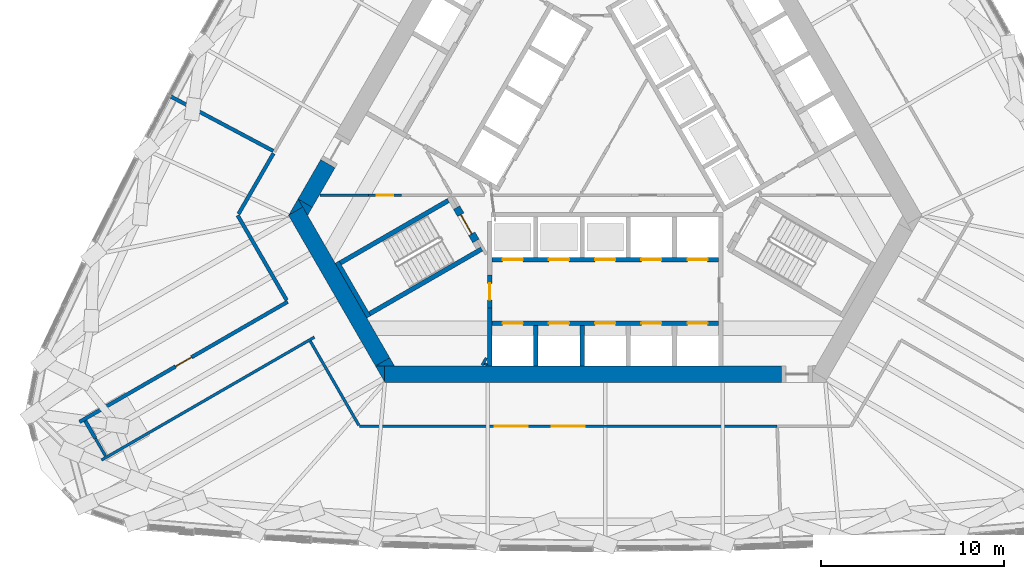
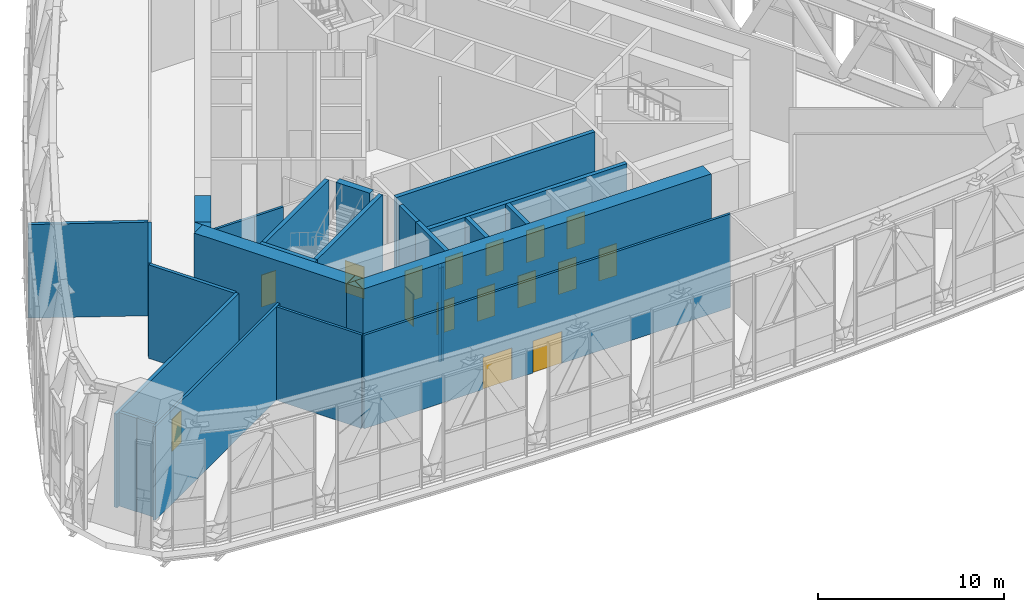
# One storey, part 21 of 33: 30 walls, 16 doors, 16 openings.
"""IFC4 building model written with IfcOpenShell, lengths in metres."""

from ifc_helpers import new_model, si_unit, direction, frame, frame_2d, origin, place, context, subcontext, project, spatial, polyline, rectangle, outline, extrude, material, layer, layer_set, type_object, element, fill, save


model = new_model("IFC4")

# Units and contexts
model_context = context("Model", 3, precision=1e-05, world=origin(), true_north=direction((0.0, 1.0)))
body_context = subcontext(model_context, "Body", "Model", "MODEL_VIEW")
ifc_project = project(units=[si_unit("LENGTHUNIT", "METRE"), si_unit("AREAUNIT", "SQUARE_METRE"), si_unit("VOLUMEUNIT", "CUBIC_METRE"), si_unit("PLANEANGLEUNIT", "RADIAN"), si_unit("MASSUNIT", "GRAM", prefix="KILO")], contexts=[model_context])

# Site, building, storey
site_placement = place(None, origin())
site = spatial("IfcSite", under=ifc_project, at=site_placement, CompositionType="ELEMENT")
building_placement = place(site_placement, origin())
building = spatial("IfcBuilding", under=site, at=building_placement, Name="Mestral Congress Tower", CompositionType="ELEMENT")
storey_placement = place(building_placement, frame((0.0, 0.0, 134.39990234375)))
storey = spatial("IfcBuildingStorey", under=building, at=storey_placement, Name="L32", CompositionType="ELEMENT", Elevation=134.39990234375)

# Walls
ifc_material_1 = material(Name="Fire-rated board partition")
ifc_layer_1 = layer(ifc_material_1, 0.14990234375)
ifc_layer_set_1 = layer_set([ifc_layer_1], Name="Fire-rated board partition")
wall_type_1 = type_object("IfcWallType", Name="Core partition 150", PredefinedType="PARTITIONING", material=ifc_layer_set_1)
wall_1_placement = place(storey_placement, frame((-6.707763671875, -12.068115234375, 0.0), z_axis=(0.0, 0.0, 1.0), x_axis=(0.500000789788, 0.8660249478, 0.0)))
element("IfcWall", 1, at=wall_1_placement, inside=storey, type_object=wall_type_1, Name="L32 core wall", PredefinedType="PARTITIONING", context=body_context, shape_type="SweptSolid", body=[
    extrude(rectangle(XDim=0.45556640625, YDim=0.14990234375, at=frame_2d((0.227783203125, 0.0))), origin(), (0.0, 0.0, 1.0), 6.150146484375),
])
wall_2_placement = place(storey_placement, frame((-6.534423828125, -12.068115234375, 0.0), z_axis=(0.0, 0.0, 1.0), x_axis=(0.500240224089, 0.865886665912, 0.0)))
element("IfcWall", 2, at=wall_2_placement, inside=storey, type_object=wall_type_1, Name="L32 core wall", PredefinedType="PARTITIONING", context=body_context, shape_type="SweptSolid", body=[
    extrude(rectangle(XDim=0.10888671875, YDim=0.14990234375, at=frame_2d((0.054443359375, 0.0))), origin(), (0.0, 0.0, 1.0), 6.150146484375),
])
wall_3_placement = place(storey_placement, frame((-12.9150390625, -2.800048828125, 0.0), z_axis=(0.0, 0.0, 1.0), x_axis=(-1.0, 0.0, 0.0)))
element("IfcWall", 3, at=wall_3_placement, inside=storey, type_object=wall_type_1, Name="L32 core wall", PredefinedType="PARTITIONING", context=body_context, shape_type="SweptSolid", body=[
    extrude(rectangle(XDim=2.63671875, YDim=0.14990234375, at=frame_2d((1.318359375, 0.0))), origin(), (0.0, 0.0, 1.0), 6.150146484375),
])

# Wall, opening, door
wall_4_placement = place(storey_placement, frame((-12.914794921875, -2.800048828125, 0.0), z_axis=(0.0, 0.0, 1.0), x_axis=(1.0, 0.0, 0.0)))
wall_4 = element("IfcWall", 4, at=wall_4_placement, inside=storey, type_object=wall_type_1, Name="L32 door wall", PredefinedType="PARTITIONING", context=body_context, shape_type="SweptSolid", body=[
    extrude(rectangle(XDim=1.7998046875, YDim=0.14990234375, at=frame_2d((0.89990234375, 0.0))), origin(), (0.0, 0.0, 1.0), 6.150146484375),
])
opening_1_placement = place(wall_4_placement, frame((0.449951171875, 0.0, 0.0)))
opening_1 = element("IfcOpeningElement", 5, at=opening_1_placement, cuts=wall_4, Name="Opening SD-HUB1", PredefinedType="OPENING", context=body_context, shape_type="SweptSolid", body=[
    extrude(rectangle(XDim=0.89990234375, YDim=2.10009765625, at=frame_2d((0.449951171875, 1.050048828125))), frame((0.0, 0.0849609375, 0.0), z_axis=(0.0, -1.0, 0.0), x_axis=(1.0, 0.0, 0.0)), (0.0, 0.0, 1.0), 0.169921875),
])
ifc_material_2 = material(Name="Fire-rated steel door set", Category="steel")
door_type_1 = type_object("IfcDoorType", Name="Core door SR 900x2100", OperationType="SINGLE_SWING_LEFT", PredefinedType="DOOR", material=ifc_material_2)
door_1_placement = place(opening_1_placement, origin())
door_1 = element("IfcDoor", 6, at=door_1_placement, inside=storey, type_object=door_type_1, Name="Door SD-HUB1", OperationType="SINGLE_SWING_LEFT", OverallHeight=2.10009765625, OverallWidth=0.89990234375, PredefinedType="DOOR", context=body_context, shape_type="SweptSolid", body=[
    extrude(rectangle(XDim=0.89990234375, YDim=2.10009765625, at=frame_2d((0.449951171875, 1.050048828125))), frame((0.0, 0.02490234375, 0.0), z_axis=(0.0, -1.0, 0.0), x_axis=(1.0, 0.0, 0.0)), (0.0, 0.0, 1.0), 0.050048828125),
])
fill(opening_1, door_1)

# Walls
ifc_material_3 = material(Name="Concrete C60/75", Category="concrete")
ifc_layer_2 = layer(ifc_material_3, 0.89990234375)
ifc_layer_set_2 = layer_set([ifc_layer_2], Name="Concrete C60/75")
wall_type_2 = type_object("IfcWallType", Name="Core wall RC 900", PredefinedType="SOLIDWALL", material=ifc_layer_set_2)
wall_5_placement = place(storey_placement, frame((-12.0185546875, -12.550048828125, 0.0), z_axis=(0.0, 0.0, 1.0), x_axis=(1.0, 0.0, 0.0)))
element("IfcWall", 7, at=wall_5_placement, inside=storey, type_object=wall_type_2, Name="L32 core wall", PredefinedType="SOLIDWALL", context=body_context, shape_type="SweptSolid", body=[
    extrude(rectangle(XDim=21.63037109375, YDim=0.89990234375, at=frame_2d((10.815185546875, 0.0))), origin(), (0.0, 0.0, 1.0), 7.2001953125),
])
placement = place(storey_placement, origin())
element("IfcWall", 8, at=placement, inside=storey, type_object=wall_type_2, Name="L32 core wall", PredefinedType="SOLIDWALL", context=body_context, shape_type="SweptSolid", body=[
    extrude(outline(polyline([(-12.528564453125, -12.10009765625), (-12.0205078125, -12.10009765625), (-12.0205078125, -12.97998046875), (-12.528564453125, -12.10009765625)])), origin(), (0.0, 0.0, 1.0), 7.2001953125),
])
wall_7_placement = place(storey_placement, frame((-12.134033203125, -11.88330078125, 0.0), z_axis=(0.0, 0.0, 1.0), x_axis=(-0.500005339912, 0.866022320763, 0.0)))
element("IfcWall", 9, at=wall_7_placement, inside=storey, type_object=wall_type_2, Name="L32 core wall", PredefinedType="SOLIDWALL", context=body_context, shape_type="SweptSolid", body=[
    extrude(rectangle(XDim=9.48779296875, YDim=0.89990234375, at=frame_2d((4.743896484375, 0.0))), origin(), (0.0, 0.0, 1.0), 7.2001953125),
])
element("IfcWall", 10, at=placement, inside=storey, type_object=wall_type_2, Name="L32 core wall", PredefinedType="SOLIDWALL", context=body_context, shape_type="SweptSolid", body=[
    extrude(outline(polyline([(-16.4892578125, -3.43994140625), (-17.251220703125, -3.8798828125), (-16.7431640625, -3.0), (-16.4892578125, -3.43994140625)])), origin(), (0.0, 0.0, 1.0), 7.2001953125),
])
element("IfcWall", 11, at=placement, inside=storey, type_object=wall_type_2, Name="L32 core wall", PredefinedType="SOLIDWALL", context=body_context, shape_type="SweptSolid", body=[
    extrude(outline(polyline([(-11.4892578125, -12.10009765625), (-12.50537109375, -12.10009765625), (-11.743408203125, -11.66015625), (-11.4892578125, -12.10009765625)])), origin(), (0.0, 0.0, 1.0), 7.2001953125),
])
wall_10_placement = place(storey_placement, frame((-15.117919921875, -1.085205078125, 0.0), z_axis=(0.0, 0.0, 1.0), x_axis=(-0.50006606081, -0.865987260198, 0.0)))
element("IfcWall", 12, at=wall_10_placement, inside=storey, type_object=wall_type_2, Name="L32 core wall", PredefinedType="SOLIDWALL", context=body_context, shape_type="SweptSolid", body=[
    extrude(rectangle(XDim=2.480712890625, YDim=0.89990234375, at=frame_2d((1.240234375, 0.0))), origin(), (0.0, 0.0, 1.0), 7.2001953125),
])
element("IfcWall", 13, at=placement, inside=storey, type_object=wall_type_2, Name="L32 core wall", PredefinedType="SOLIDWALL", context=body_context, shape_type="SweptSolid", body=[
    extrude(outline(polyline([(-16.223388671875, -3.89990234375), (-16.731689453125, -3.02001953125), (-15.969482421875, -3.460205078125), (-16.223388671875, -3.89990234375)])), origin(), (0.0, 0.0, 1.0), 7.2001953125),
])
ifc_layer_3 = layer(ifc_material_3, 0.25)
ifc_layer_set_3 = layer_set([ifc_layer_3], Name="Concrete C60/75")
wall_type_3 = type_object("IfcWallType", Name="Shaft wall RC 250", PredefinedType="SOLIDWALL", material=ifc_layer_set_3)
wall_12_placement = place(storey_placement, frame((-3.780029296875, -12.10009765625, 0.0), z_axis=(0.0, 0.0, 1.0), x_axis=(0.0, 1.0, 0.0)))
element("IfcWall", 14, at=wall_12_placement, inside=storey, type_object=wall_type_3, Name="L32 core wall", PredefinedType="SOLIDWALL", context=body_context, shape_type="SweptSolid", body=[
    extrude(rectangle(XDim=2.199951171875, YDim=0.25, at=frame_2d((1.10009765625, 0.0))), origin(), (0.0, 0.0, 1.0), 7.2001953125),
])
wall_13_placement = place(storey_placement, frame((-6.300048828125, -12.10009765625, 0.0), z_axis=(0.0, 0.0, 1.0), x_axis=(0.0, 1.0, 0.0)))
element("IfcWall", 15, at=wall_13_placement, inside=storey, type_object=wall_type_3, Name="L32 core wall", PredefinedType="SOLIDWALL", context=body_context, shape_type="SweptSolid", body=[
    extrude(rectangle(XDim=3.1455078125, YDim=0.25, at=frame_2d((1.57275390625, 0.0))), origin(), (0.0, 0.0, 1.0), 7.2001953125),
])
wall_14_placement = place(storey_placement, frame((-1.260009765625, -12.10009765625, 0.0), z_axis=(0.0, 0.0, 1.0), x_axis=(0.0, 1.0, 0.0)))
element("IfcWall", 16, at=wall_14_placement, inside=storey, type_object=wall_type_3, Name="L32 core wall", PredefinedType="SOLIDWALL", context=body_context, shape_type="SweptSolid", body=[
    extrude(rectangle(XDim=2.199951171875, YDim=0.25, at=frame_2d((1.10009765625, 0.0))), origin(), (0.0, 0.0, 1.0), 7.2001953125),
])

# Wall, openings, doors
wall_15_placement = place(storey_placement, frame((-6.175048828125, -9.77490234375, 0.0), z_axis=(0.0, 0.0, 1.0), x_axis=(1.0, 0.0, 0.0)))
wall_15 = element("IfcWall", 17, at=wall_15_placement, inside=storey, type_object=wall_type_3, Name="L32 door wall", PredefinedType="SOLIDWALL", context=body_context, shape_type="SweptSolid", body=[
    extrude(rectangle(XDim=12.35009765625, YDim=0.25, at=frame_2d((6.175048828125, 0.0))), origin(), (0.0, 0.0, 1.0), 7.2001953125),
])
opening_2_placement = place(wall_15_placement, frame((0.5849609375, 0.0, 0.0)))
opening_2 = element("IfcOpeningElement", 18, at=opening_2_placement, cuts=wall_15, Name="Opening LD-SOA1", PredefinedType="OPENING", context=body_context, shape_type="SweptSolid", body=[
    extrude(rectangle(XDim=1.10009765625, YDim=2.10009765625, at=frame_2d((0.550048828125, 1.050048828125))), frame((0.0, 0.135009765625, 0.0), z_axis=(0.0, -1.0, 0.0), x_axis=(1.0, 0.0, 0.0)), (0.0, 0.0, 1.0), 0.27001953125),
])
opening_3_placement = place(wall_15_placement, frame((3.10498046875, 0.0, 0.0)))
opening_3 = element("IfcOpeningElement", 19, at=opening_3_placement, cuts=wall_15, Name="Opening LD-SOA2", PredefinedType="OPENING", context=body_context, shape_type="SweptSolid", body=[
    extrude(rectangle(XDim=1.10009765625, YDim=2.10009765625, at=frame_2d((0.550048828125, 1.050048828125))), frame((0.0, 0.135009765625, 0.0), z_axis=(0.0, -1.0, 0.0), x_axis=(1.0, 0.0, 0.0)), (0.0, 0.0, 1.0), 0.27001953125),
])
opening_4_placement = place(wall_15_placement, frame((5.625, 0.0, 0.0)))
opening_4 = element("IfcOpeningElement", 20, at=opening_4_placement, cuts=wall_15, Name="Opening LD-SOA3", PredefinedType="OPENING", context=body_context, shape_type="SweptSolid", body=[
    extrude(rectangle(XDim=1.10009765625, YDim=2.10009765625, at=frame_2d((0.550048828125, 1.050048828125))), frame((0.0, 0.135009765625, 0.0), z_axis=(0.0, -1.0, 0.0), x_axis=(1.0, 0.0, 0.0)), (0.0, 0.0, 1.0), 0.27001953125),
])
opening_5_placement = place(wall_15_placement, frame((8.14501953125, 0.0, 0.0)))
opening_5 = element("IfcOpeningElement", 21, at=opening_5_placement, cuts=wall_15, Name="Opening LD-SOA4", PredefinedType="OPENING", context=body_context, shape_type="SweptSolid", body=[
    extrude(rectangle(XDim=1.10009765625, YDim=2.10009765625, at=frame_2d((0.550048828125, 1.050048828125))), frame((0.0, 0.135009765625, 0.0), z_axis=(0.0, -1.0, 0.0), x_axis=(1.0, 0.0, 0.0)), (0.0, 0.0, 1.0), 0.27001953125),
])
opening_6_placement = place(wall_15_placement, frame((10.6650390625, 0.0, 0.0)))
opening_6 = element("IfcOpeningElement", 22, at=opening_6_placement, cuts=wall_15, Name="Opening LD-SOA5", PredefinedType="OPENING", context=body_context, shape_type="SweptSolid", body=[
    extrude(rectangle(XDim=1.10009765625, YDim=2.10009765625, at=frame_2d((0.550048828125, 1.050048828125))), frame((0.0, 0.135009765625, 0.0), z_axis=(0.0, -1.0, 0.0), x_axis=(1.0, 0.0, 0.0)), (0.0, 0.0, 1.0), 0.27001953125),
])
door_type_2 = type_object("IfcDoorType", Name="Core door LD 1100x2100", OperationType="DOUBLE_DOOR_SLIDING", PredefinedType="DOOR", material=ifc_material_2)
door_2_placement = place(opening_2_placement, origin())
door_2 = element("IfcDoor", 23, at=door_2_placement, inside=storey, type_object=door_type_2, Name="Door LD-SOA1", OperationType="DOUBLE_DOOR_SLIDING", OverallHeight=2.10009765625, OverallWidth=1.10009765625, PredefinedType="DOOR", context=body_context, shape_type="SweptSolid", body=[
    extrude(rectangle(XDim=1.10009765625, YDim=2.10009765625, at=frame_2d((0.550048828125, 1.050048828125))), frame((0.0, 0.02490234375, 0.0), z_axis=(0.0, -1.0, 0.0), x_axis=(1.0, 0.0, 0.0)), (0.0, 0.0, 1.0), 0.050048828125),
])
fill(opening_2, door_2)
door_3_placement = place(opening_3_placement, origin())
door_3 = element("IfcDoor", 24, at=door_3_placement, inside=storey, type_object=door_type_2, Name="Door LD-SOA2", OperationType="DOUBLE_DOOR_SLIDING", OverallHeight=2.10009765625, OverallWidth=1.10009765625, PredefinedType="DOOR", context=body_context, shape_type="SweptSolid", body=[
    extrude(rectangle(XDim=1.10009765625, YDim=2.10009765625, at=frame_2d((0.550048828125, 1.050048828125))), frame((0.0, 0.02490234375, 0.0), z_axis=(0.0, -1.0, 0.0), x_axis=(1.0, 0.0, 0.0)), (0.0, 0.0, 1.0), 0.050048828125),
])
fill(opening_3, door_3)
door_4_placement = place(opening_4_placement, origin())
door_4 = element("IfcDoor", 25, at=door_4_placement, inside=storey, type_object=door_type_2, Name="Door LD-SOA3", OperationType="DOUBLE_DOOR_SLIDING", OverallHeight=2.10009765625, OverallWidth=1.10009765625, PredefinedType="DOOR", context=body_context, shape_type="SweptSolid", body=[
    extrude(rectangle(XDim=1.10009765625, YDim=2.10009765625, at=frame_2d((0.550048828125, 1.050048828125))), frame((0.0, 0.02490234375, 0.0), z_axis=(0.0, -1.0, 0.0), x_axis=(1.0, 0.0, 0.0)), (0.0, 0.0, 1.0), 0.050048828125),
])
fill(opening_4, door_4)
door_5_placement = place(opening_5_placement, origin())
door_5 = element("IfcDoor", 26, at=door_5_placement, inside=storey, type_object=door_type_2, Name="Door LD-SOA4", OperationType="DOUBLE_DOOR_SLIDING", OverallHeight=2.10009765625, OverallWidth=1.10009765625, PredefinedType="DOOR", context=body_context, shape_type="SweptSolid", body=[
    extrude(rectangle(XDim=1.10009765625, YDim=2.10009765625, at=frame_2d((0.550048828125, 1.050048828125))), frame((0.0, 0.02490234375, 0.0), z_axis=(0.0, -1.0, 0.0), x_axis=(1.0, 0.0, 0.0)), (0.0, 0.0, 1.0), 0.050048828125),
])
fill(opening_5, door_5)
door_6_placement = place(opening_6_placement, origin())
door_6 = element("IfcDoor", 27, at=door_6_placement, inside=storey, type_object=door_type_2, Name="Door LD-SOA5", OperationType="DOUBLE_DOOR_SLIDING", OverallHeight=2.10009765625, OverallWidth=1.10009765625, PredefinedType="DOOR", context=body_context, shape_type="SweptSolid", body=[
    extrude(rectangle(XDim=1.10009765625, YDim=2.10009765625, at=frame_2d((0.550048828125, 1.050048828125))), frame((0.0, 0.02490234375, 0.0), z_axis=(0.0, -1.0, 0.0), x_axis=(1.0, 0.0, 0.0)), (0.0, 0.0, 1.0), 0.050048828125),
])
fill(opening_6, door_6)

wall_16_placement = place(storey_placement, frame((-6.175048828125, -6.324951171875, 0.0), z_axis=(0.0, 0.0, 1.0), x_axis=(1.0, 0.0, 0.0)))
wall_16 = element("IfcWall", 28, at=wall_16_placement, inside=storey, type_object=wall_type_3, Name="L32 door wall", PredefinedType="SOLIDWALL", context=body_context, shape_type="SweptSolid", body=[
    extrude(rectangle(XDim=12.35009765625, YDim=0.25, at=frame_2d((6.175048828125, 0.0))), origin(), (0.0, 0.0, 1.0), 7.2001953125),
])
opening_7_placement = place(wall_16_placement, frame((0.5849609375, 0.0, 0.0)))
opening_7 = element("IfcOpeningElement", 29, at=opening_7_placement, cuts=wall_16, Name="Opening LD-SOB1", PredefinedType="OPENING", context=body_context, shape_type="SweptSolid", body=[
    extrude(rectangle(XDim=1.10009765625, YDim=2.10009765625, at=frame_2d((0.550048828125, 1.050048828125))), frame((0.0, 0.135009765625, 0.0), z_axis=(0.0, -1.0, 0.0), x_axis=(1.0, 0.0, 0.0)), (0.0, 0.0, 1.0), 0.27001953125),
])
opening_8_placement = place(wall_16_placement, frame((3.10498046875, 0.0, 0.0)))
opening_8 = element("IfcOpeningElement", 30, at=opening_8_placement, cuts=wall_16, Name="Opening LD-SOB2", PredefinedType="OPENING", context=body_context, shape_type="SweptSolid", body=[
    extrude(rectangle(XDim=1.10009765625, YDim=2.10009765625, at=frame_2d((0.550048828125, 1.050048828125))), frame((0.0, 0.135009765625, 0.0), z_axis=(0.0, -1.0, 0.0), x_axis=(1.0, 0.0, 0.0)), (0.0, 0.0, 1.0), 0.27001953125),
])
opening_9_placement = place(wall_16_placement, frame((5.625, 0.0, 0.0)))
opening_9 = element("IfcOpeningElement", 31, at=opening_9_placement, cuts=wall_16, Name="Opening LD-SOB3", PredefinedType="OPENING", context=body_context, shape_type="SweptSolid", body=[
    extrude(rectangle(XDim=1.10009765625, YDim=2.10009765625, at=frame_2d((0.550048828125, 1.050048828125))), frame((0.0, 0.135009765625, 0.0), z_axis=(0.0, -1.0, 0.0), x_axis=(1.0, 0.0, 0.0)), (0.0, 0.0, 1.0), 0.27001953125),
])
opening_10_placement = place(wall_16_placement, frame((8.14501953125, 0.0, 0.0)))
opening_10 = element("IfcOpeningElement", 32, at=opening_10_placement, cuts=wall_16, Name="Opening LD-SOB4", PredefinedType="OPENING", context=body_context, shape_type="SweptSolid", body=[
    extrude(rectangle(XDim=1.10009765625, YDim=2.10009765625, at=frame_2d((0.550048828125, 1.050048828125))), frame((0.0, 0.135009765625, 0.0), z_axis=(0.0, -1.0, 0.0), x_axis=(1.0, 0.0, 0.0)), (0.0, 0.0, 1.0), 0.27001953125),
])
opening_11_placement = place(wall_16_placement, frame((10.6650390625, 0.0, 0.0)))
opening_11 = element("IfcOpeningElement", 33, at=opening_11_placement, cuts=wall_16, Name="Opening LD-SOB5", PredefinedType="OPENING", context=body_context, shape_type="SweptSolid", body=[
    extrude(rectangle(XDim=1.10009765625, YDim=2.10009765625, at=frame_2d((0.550048828125, 1.050048828125))), frame((0.0, 0.135009765625, 0.0), z_axis=(0.0, -1.0, 0.0), x_axis=(1.0, 0.0, 0.0)), (0.0, 0.0, 1.0), 0.27001953125),
])
door_7_placement = place(opening_7_placement, origin())
door_7 = element("IfcDoor", 34, at=door_7_placement, inside=storey, type_object=door_type_2, Name="Door LD-SOB1", OperationType="DOUBLE_DOOR_SLIDING", OverallHeight=2.10009765625, OverallWidth=1.10009765625, PredefinedType="DOOR", context=body_context, shape_type="SweptSolid", body=[
    extrude(rectangle(XDim=1.10009765625, YDim=2.10009765625, at=frame_2d((0.550048828125, 1.050048828125))), frame((0.0, 0.02490234375, 0.0), z_axis=(0.0, -1.0, 0.0), x_axis=(1.0, 0.0, 0.0)), (0.0, 0.0, 1.0), 0.050048828125),
])
fill(opening_7, door_7)
door_8_placement = place(opening_8_placement, origin())
door_8 = element("IfcDoor", 35, at=door_8_placement, inside=storey, type_object=door_type_2, Name="Door LD-SOB2", OperationType="DOUBLE_DOOR_SLIDING", OverallHeight=2.10009765625, OverallWidth=1.10009765625, PredefinedType="DOOR", context=body_context, shape_type="SweptSolid", body=[
    extrude(rectangle(XDim=1.10009765625, YDim=2.10009765625, at=frame_2d((0.550048828125, 1.050048828125))), frame((0.0, 0.02490234375, 0.0), z_axis=(0.0, -1.0, 0.0), x_axis=(1.0, 0.0, 0.0)), (0.0, 0.0, 1.0), 0.050048828125),
])
fill(opening_8, door_8)
door_9_placement = place(opening_9_placement, origin())
door_9 = element("IfcDoor", 36, at=door_9_placement, inside=storey, type_object=door_type_2, Name="Door LD-SOB3", OperationType="DOUBLE_DOOR_SLIDING", OverallHeight=2.10009765625, OverallWidth=1.10009765625, PredefinedType="DOOR", context=body_context, shape_type="SweptSolid", body=[
    extrude(rectangle(XDim=1.10009765625, YDim=2.10009765625, at=frame_2d((0.550048828125, 1.050048828125))), frame((0.0, 0.02490234375, 0.0), z_axis=(0.0, -1.0, 0.0), x_axis=(1.0, 0.0, 0.0)), (0.0, 0.0, 1.0), 0.050048828125),
])
fill(opening_9, door_9)
door_10_placement = place(opening_10_placement, origin())
door_10 = element("IfcDoor", 37, at=door_10_placement, inside=storey, type_object=door_type_2, Name="Door LD-SOB4", OperationType="DOUBLE_DOOR_SLIDING", OverallHeight=2.10009765625, OverallWidth=1.10009765625, PredefinedType="DOOR", context=body_context, shape_type="SweptSolid", body=[
    extrude(rectangle(XDim=1.10009765625, YDim=2.10009765625, at=frame_2d((0.550048828125, 1.050048828125))), frame((0.0, 0.02490234375, 0.0), z_axis=(0.0, -1.0, 0.0), x_axis=(1.0, 0.0, 0.0)), (0.0, 0.0, 1.0), 0.050048828125),
])
fill(opening_10, door_10)
door_11_placement = place(opening_11_placement, origin())
door_11 = element("IfcDoor", 38, at=door_11_placement, inside=storey, type_object=door_type_2, Name="Door LD-SOB5", OperationType="DOUBLE_DOOR_SLIDING", OverallHeight=2.10009765625, OverallWidth=1.10009765625, PredefinedType="DOOR", context=body_context, shape_type="SweptSolid", body=[
    extrude(rectangle(XDim=1.10009765625, YDim=2.10009765625, at=frame_2d((0.550048828125, 1.050048828125))), frame((0.0, 0.02490234375, 0.0), z_axis=(0.0, -1.0, 0.0), x_axis=(1.0, 0.0, 0.0)), (0.0, 0.0, 1.0), 0.050048828125),
])
fill(opening_11, door_11)

# Wall, opening, door
wall_17_placement = place(storey_placement, frame((-6.300048828125, -7.154296875, 0.0), z_axis=(0.0, 0.0, 1.0), x_axis=(0.0, -1.0, 0.0)))
wall_17 = element("IfcWall", 39, at=wall_17_placement, inside=storey, type_object=wall_type_3, Name="L32 door wall", PredefinedType="SOLIDWALL", context=body_context, shape_type="SweptSolid", body=[
    extrude(rectangle(XDim=1.800048828125, YDim=0.25, at=frame_2d((0.89990234375, 0.0))), origin(), (0.0, 0.0, 1.0), 7.2001953125),
])
opening_12_placement = place(wall_17_placement, frame((0.449951171875, 0.0, 0.0)))
opening_12 = element("IfcOpeningElement", 40, at=opening_12_placement, cuts=wall_17, Name="Opening TD3", PredefinedType="OPENING", context=body_context, shape_type="SweptSolid", body=[
    extrude(rectangle(XDim=0.89990234375, YDim=2.10009765625, at=frame_2d((0.449951171875, 1.050048828125))), frame((0.0, 0.135009765625, 0.0), z_axis=(0.0, -1.0, 0.0), x_axis=(1.0, 0.0, 0.0)), (0.0, 0.0, 1.0), 0.27001953125),
])
door_12_placement = place(opening_12_placement, origin())
door_12 = element("IfcDoor", 41, at=door_12_placement, inside=storey, type_object=door_type_1, Name="Door TD3", OperationType="SINGLE_SWING_LEFT", OverallHeight=2.10009765625, OverallWidth=0.89990234375, PredefinedType="DOOR", context=body_context, shape_type="SweptSolid", body=[
    extrude(rectangle(XDim=0.89990234375, YDim=2.10009765625, at=frame_2d((0.449951171875, 1.050048828125))), frame((0.0, 0.02490234375, 0.0), z_axis=(0.0, -1.0, 0.0), x_axis=(1.0, 0.0, 0.0)), (0.0, 0.0, 1.0), 0.050048828125),
])
fill(opening_12, door_12)

# Wall, openings, doors
ifc_layer_4 = layer(ifc_material_1, 0.14990234375)
ifc_layer_set_4 = layer_set([ifc_layer_4], Name="Fire-rated board partition")
wall_type_4 = type_object("IfcWallType", Name="Special partition 150 EI 180", PredefinedType="PARTITIONING", material=ifc_layer_set_4)
wall_18_placement = place(storey_placement, frame((-13.39453125, -15.39990234375, 0.0), z_axis=(0.0, 0.0, 1.0), x_axis=(1.0, 0.0, 0.0)))
wall_18 = element("IfcWall", 42, at=wall_18_placement, inside=storey, type_object=wall_type_4, Name="Partition", PredefinedType="PARTITIONING", context=body_context, shape_type="SweptSolid", body=[
    extrude(rectangle(XDim=22.7744140625, YDim=0.14990234375, at=frame_2d((11.38720703125, 0.0))), origin(), (0.0, 0.0, 1.0), 6.150146484375),
])
opening_13_placement = place(wall_18_placement, frame((10.4873046875, 0.0, 0.0)))
opening_13 = element("IfcOpeningElement", 43, at=opening_13_placement, cuts=wall_18, Name="Opening S32-002", PredefinedType="OPENING", context=body_context, shape_type="SweptSolid", body=[
    extrude(rectangle(XDim=1.800048828125, YDim=2.10009765625, at=frame_2d((0.89990234375, 1.050048828125))), frame((0.0, 0.0849609375, 0.0), z_axis=(0.0, -1.0, 0.0), x_axis=(1.0, 0.0, 0.0)), (0.0, 0.0, 1.0), 0.169921875),
])
opening_14_placement = place(wall_18_placement, frame((7.376953125, 0.0, 0.0)))
opening_14 = element("IfcOpeningElement", 44, at=opening_14_placement, cuts=wall_18, Name="Opening S32-003", PredefinedType="OPENING", context=body_context, shape_type="SweptSolid", body=[
    extrude(rectangle(XDim=1.800048828125, YDim=2.10009765625, at=frame_2d((0.89990234375, 1.050048828125))), frame((0.0, 0.0849609375, 0.0), z_axis=(0.0, -1.0, 0.0), x_axis=(1.0, 0.0, 0.0)), (0.0, 0.0, 1.0), 0.169921875),
])
door_type_3 = type_object("IfcDoorType", Name="Assembly double door 1800x2100", OperationType="DOUBLE_DOOR_SINGLE_SWING", PredefinedType="DOOR", material=ifc_material_2)
door_13_placement = place(opening_13_placement, origin())
door_13 = element("IfcDoor", 45, at=door_13_placement, inside=storey, type_object=door_type_3, Name="Door S32-002", OperationType="DOUBLE_DOOR_SINGLE_SWING", OverallHeight=2.10009765625, OverallWidth=1.800048828125, PredefinedType="DOOR", context=body_context, shape_type="SweptSolid", body=[
    extrude(rectangle(XDim=1.800048828125, YDim=2.10009765625, at=frame_2d((0.89990234375, 1.050048828125))), frame((0.0, 0.02490234375, 0.0), z_axis=(0.0, -1.0, 0.0), x_axis=(1.0, 0.0, 0.0)), (0.0, 0.0, 1.0), 0.050048828125),
])
fill(opening_13, door_13)
door_14_placement = place(opening_14_placement, origin())
door_14 = element("IfcDoor", 46, at=door_14_placement, inside=storey, type_object=door_type_3, Name="Door S32-003", OperationType="DOUBLE_DOOR_SINGLE_SWING", OverallHeight=2.10009765625, OverallWidth=1.800048828125, PredefinedType="DOOR", context=body_context, shape_type="SweptSolid", body=[
    extrude(rectangle(XDim=1.800048828125, YDim=2.10009765625, at=frame_2d((0.89990234375, 1.050048828125))), frame((0.0, 0.02490234375, 0.0), z_axis=(0.0, -1.0, 0.0), x_axis=(1.0, 0.0, 0.0)), (0.0, 0.0, 1.0), 0.050048828125),
])
fill(opening_14, door_14)

# Walls
wall_19_placement = place(storey_placement, frame((-15.8544921875, -10.539306640625, 0.0), z_axis=(0.0, 0.0, 1.0), x_axis=(-0.866027799164, -0.499995851058, 0.0)))
element("IfcWall", 47, at=wall_19_placement, inside=storey, type_object=wall_type_4, Name="Partition", PredefinedType="PARTITIONING", context=body_context, shape_type="SweptSolid", body=[
    extrude(rectangle(XDim=13.3984375, YDim=0.14990234375, at=frame_2d((6.69921875, 0.0))), origin(), (0.0, 0.0, 1.0), 6.150146484375),
])
wall_20_placement = place(storey_placement, frame((-13.429443359375, -15.33935546875, 0.0), z_axis=(0.0, 0.0, 1.0), x_axis=(-0.500006123685, 0.866021868245, 0.0)))
element("IfcWall", 48, at=wall_20_placement, inside=storey, type_object=wall_type_4, Name="Partition", PredefinedType="PARTITIONING", context=body_context, shape_type="SweptSolid", body=[
    extrude(rectangle(XDim=5.28955078125, YDim=0.14990234375, at=frame_2d((2.644775390625, 0.0))), origin(), (0.0, 0.0, 1.0), 6.150146484375),
])
wall_21_placement = place(storey_placement, frame((-27.23828125, -17.019287109375, 0.0), z_axis=(0.0, 0.0, 1.0), x_axis=(-0.499995378973, 0.866028071719, 0.0)))
element("IfcWall", 49, at=wall_21_placement, inside=storey, type_object=wall_type_4, Name="Partition", PredefinedType="PARTITIONING", context=body_context, shape_type="SweptSolid", body=[
    extrude(rectangle(XDim=1.10986328125, YDim=0.14990234375, at=frame_2d((0.554931640625, 0.0))), origin(), (0.0, 0.0, 1.0), 6.150146484375),
])

# Wall, opening, door
ifc_material_4 = material(Name="Concrete block wall, plastered", Category="concrete")
ifc_layer_5 = layer(ifc_material_4, 0.199951171875)
ifc_layer_set_5 = layer_set([ifc_layer_5], Name="Concrete block wall, plastered")
wall_type_5 = type_object("IfcWallType", Name="Special partition 200 EI 120", PredefinedType="PARTITIONING", material=ifc_layer_set_5)
wall_22_placement = place(storey_placement, frame((-17.314208984375, -8.61083984375, 0.0), z_axis=(0.0, 0.0, 1.0), x_axis=(-0.866025427251, -0.499999959354, 0.0)))
wall_22 = element("IfcWall", 50, at=wall_22_placement, inside=storey, type_object=wall_type_5, Name="Partition", PredefinedType="PARTITIONING", context=body_context, shape_type="SweptSolid", body=[
    extrude(rectangle(XDim=13.0986328125, YDim=0.199951171875, at=frame_2d((6.54931640625, 0.0))), origin(), (0.0, 0.0, 1.0), 6.150146484375),
])
opening_15_placement = place(wall_22_placement, frame((6.04931640625, 0.0, 0.0)))
opening_15 = element("IfcOpeningElement", 51, at=opening_15_placement, cuts=wall_22, Name="Opening S32-001", PredefinedType="OPENING", context=body_context, shape_type="SweptSolid", body=[
    extrude(rectangle(XDim=1.0, YDim=2.10009765625, at=frame_2d((0.5, 1.050048828125))), frame((0.0, 0.10986328125, 0.0), z_axis=(0.0, -1.0, 0.0), x_axis=(1.0, 0.0, 0.0)), (0.0, 0.0, 1.0), 0.219970703125),
])
door_type_4 = type_object("IfcDoorType", Name="Service door 1000x2100", OperationType="SINGLE_SWING_LEFT", PredefinedType="DOOR", material=ifc_material_2)
door_15_placement = place(opening_15_placement, origin())
door_15 = element("IfcDoor", 52, at=door_15_placement, inside=storey, type_object=door_type_4, Name="Door S32-001", OperationType="SINGLE_SWING_RIGHT", OverallHeight=2.10009765625, OverallWidth=1.0, PredefinedType="DOOR", context=body_context, shape_type="SweptSolid", body=[
    extrude(rectangle(XDim=1.0, YDim=2.10009765625, at=frame_2d((0.5, 1.050048828125))), frame((0.0, 0.02490234375, 0.0), z_axis=(0.0, -1.0, 0.0), x_axis=(1.0, 0.0, 0.0)), (0.0, 0.0, 1.0), 0.050048828125),
])
fill(opening_15, door_15)

# Walls
wall_23_placement = place(storey_placement, frame((-23.819580078125, 2.656005859375, 0.0), z_axis=(0.0, 0.0, 1.0), x_axis=(0.883021561778, -0.469332421035, 0.0)))
element("IfcWall", 53, at=wall_23_placement, inside=storey, type_object=wall_type_5, Name="Partition", PredefinedType="PARTITIONING", context=body_context, shape_type="SweptSolid", body=[
    extrude(rectangle(XDim=6.48046875, YDim=0.199951171875, at=frame_2d((3.240234375, 0.0))), origin(), (0.0, 0.0, 1.0), 6.150146484375),
])
wall_24_placement = place(storey_placement, frame((-17.3642578125, -8.524169921875, 0.0), z_axis=(0.0, 0.0, 1.0), x_axis=(-0.500014009721, 0.866017315117, 0.0)))
element("IfcWall", 54, at=wall_24_placement, inside=storey, type_object=wall_type_5, Name="Partition", PredefinedType="PARTITIONING", context=body_context, shape_type="SweptSolid", body=[
    extrude(rectangle(XDim=5.339599609375, YDim=0.199951171875, at=frame_2d((2.669921875, 0.0))), origin(), (0.0, 0.0, 1.0), 6.150146484375),
])
wall_25_placement = place(storey_placement, frame((-19.989013671875, -3.822021484375, 0.0), z_axis=(0.0, 0.0, 1.0), x_axis=(0.499986503906, 0.866033195618, 0.0)))
element("IfcWall", 55, at=wall_25_placement, inside=storey, type_object=wall_type_5, Name="Partition", PredefinedType="PARTITIONING", context=body_context, shape_type="SweptSolid", body=[
    extrude(rectangle(XDim=3.81494140625, YDim=0.199951171875, at=frame_2d((1.907470703125, 0.0))), origin(), (0.0, 0.0, 1.0), 6.150146484375),
])
wall_26_placement = place(storey_placement, frame((-27.798095703125, -16.049560546875, 0.0), z_axis=(0.0, 0.0, 1.0), x_axis=(-0.499933745558, 0.866063652425, 0.0)))
element("IfcWall", 56, at=wall_26_placement, inside=storey, type_object=wall_type_5, Name="Partition", PredefinedType="PARTITIONING", context=body_context, shape_type="SweptSolid", body=[
    extrude(rectangle(XDim=1.100341796875, YDim=0.199951171875, at=frame_2d((0.55029296875, 0.0))), origin(), (0.0, 0.0, 1.0), 6.150146484375),
])
ifc_layer_6 = layer(ifc_material_3, 0.25)
ifc_layer_set_6 = layer_set([ifc_layer_6], Name="Concrete C60/75")
wall_type_6 = type_object("IfcWallType", Name="Stair wall RC 250", PredefinedType="SOLIDWALL", material=ifc_layer_set_6)
wall_27_placement = place(storey_placement, frame((-12.885498046875, -9.431396484375, 0.0), z_axis=(0.0, 0.0, 1.0), x_axis=(-0.500020560727, 0.866013532718, 0.0)))
element("IfcWall", 57, at=wall_27_placement, inside=storey, type_object=wall_type_6, Name="L32 core wall", PredefinedType="SOLIDWALL", context=body_context, shape_type="SweptSolid", body=[
    extrude(rectangle(XDim=3.449951171875, YDim=0.25, at=frame_2d((1.72509765625, 0.0))), origin(), (0.0, 0.0, 1.0), 7.2001953125),
])
wall_28_placement = place(storey_placement, frame((-14.43994140625, -6.489501953125, 0.0), z_axis=(0.0, 0.0, 1.0), x_axis=(0.866022966069, 0.500004222222, 0.0)))
element("IfcWall", 58, at=wall_28_placement, inside=storey, type_object=wall_type_6, Name="L32 core wall", PredefinedType="SOLIDWALL", context=body_context, shape_type="SweptSolid", body=[
    extrude(rectangle(XDim=6.80029296875, YDim=0.25, at=frame_2d((3.400146484375, 0.0))), origin(), (0.0, 0.0, 1.0), 7.2001953125),
])
wall_29_placement = place(storey_placement, frame((-12.83984375, -9.2607421875, 0.0), z_axis=(0.0, 0.0, 1.0), x_axis=(0.866016039709, 0.500016218704, 0.0)))
element("IfcWall", 59, at=wall_29_placement, inside=storey, type_object=wall_type_6, Name="L32 core wall", PredefinedType="SOLIDWALL", context=body_context, shape_type="SweptSolid", body=[
    extrude(rectangle(XDim=7.050048828125, YDim=0.25, at=frame_2d((3.52490234375, 0.0))), origin(), (0.0, 0.0, 1.0), 7.2001953125),
])

# Wall, opening, door
ifc_layer_7 = layer(ifc_material_3, 0.39990234375)
ifc_layer_set_7 = layer_set([ifc_layer_7], Name="Concrete C60/75")
wall_type_7 = type_object("IfcWallType", Name="Stair wall RC 250 door-wall 400", PredefinedType="SOLIDWALL", material=ifc_layer_set_7)
wall_30_placement = place(storey_placement, frame((-8.097900390625, -3.473876953125, 0.0), z_axis=(0.0, 0.0, 1.0), x_axis=(0.49994051562, -0.866059744384, 0.0)))
wall_30 = element("IfcWall", 60, at=wall_30_placement, inside=storey, type_object=wall_type_7, Name="L32 door wall", PredefinedType="SOLIDWALL", context=body_context, shape_type="SweptSolid", body=[
    extrude(rectangle(XDim=2.099853515625, YDim=0.39990234375, at=frame_2d((1.0498046875, 0.0))), origin(), (0.0, 0.0, 1.0), 7.2001953125),
])
opening_16_placement = place(wall_30_placement, frame((0.449951171875, 0.0, 0.0)))
opening_16 = element("IfcOpeningElement", 61, at=opening_16_placement, cuts=wall_30, Name="Opening ST-D3", PredefinedType="OPENING", context=body_context, shape_type="SweptSolid", body=[
    extrude(rectangle(XDim=1.199951171875, YDim=2.10009765625, at=frame_2d((0.60009765625, 1.050048828125))), frame((0.0, 0.2099609375, 0.0), z_axis=(0.0, -1.0, 0.0), x_axis=(1.0, 0.0, 0.0)), (0.0, 0.0, 1.0), 0.419921875),
])
door_type_5 = type_object("IfcDoorType", Name="Core door ST 1200x2100", OperationType="SINGLE_SWING_LEFT", PredefinedType="DOOR", material=ifc_material_2)
door_16_placement = place(opening_16_placement, origin())
door_16 = element("IfcDoor", 62, at=door_16_placement, inside=storey, type_object=door_type_5, Name="Door ST-D3", OperationType="SINGLE_SWING_LEFT", OverallHeight=2.10009765625, OverallWidth=1.199951171875, PredefinedType="DOOR", context=body_context, shape_type="SweptSolid", body=[
    extrude(rectangle(XDim=1.199951171875, YDim=2.10009765625, at=frame_2d((0.60009765625, 1.050048828125))), frame((0.0, 0.02490234375, 0.0), z_axis=(0.0, -1.0, 0.0), x_axis=(1.0, 0.0, 0.0)), (0.0, 0.0, 1.0), 0.050048828125),
])
fill(opening_16, door_16)

save(model, "model.ifc")
